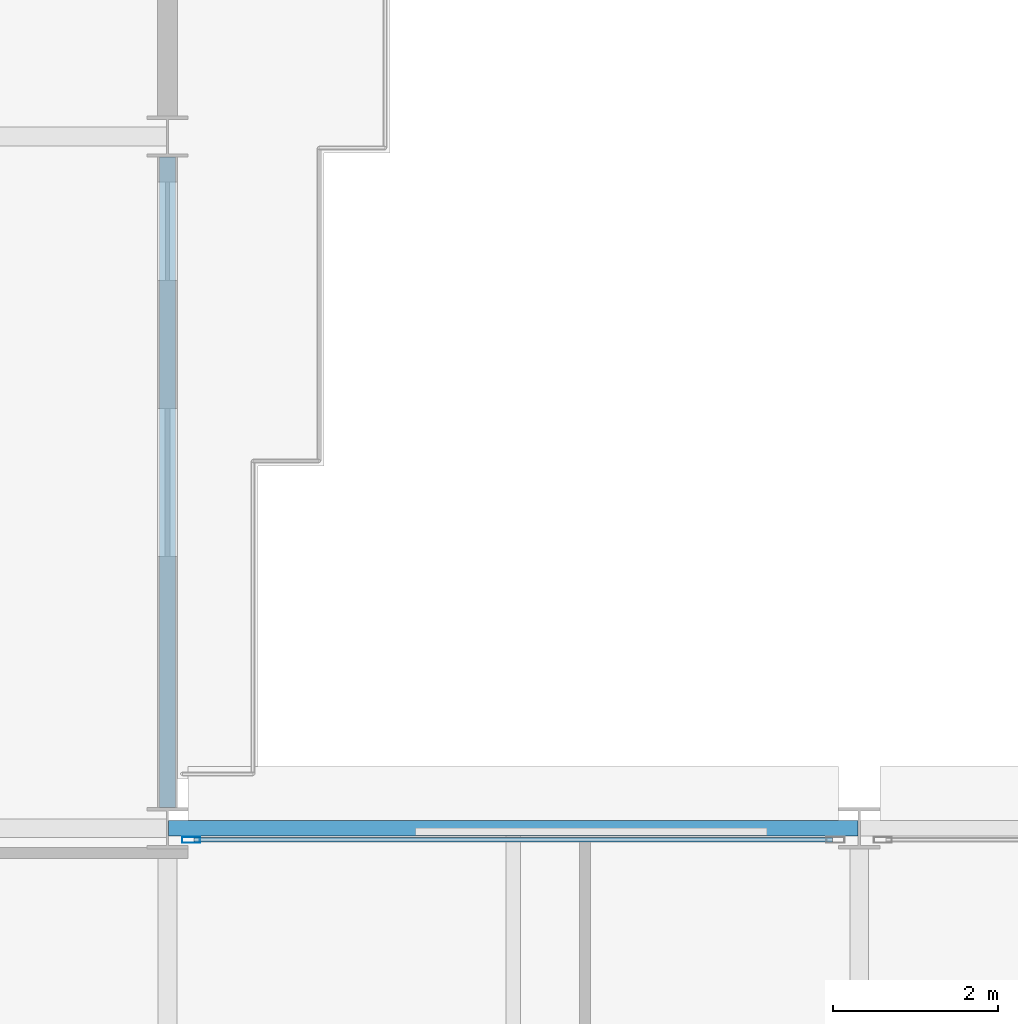
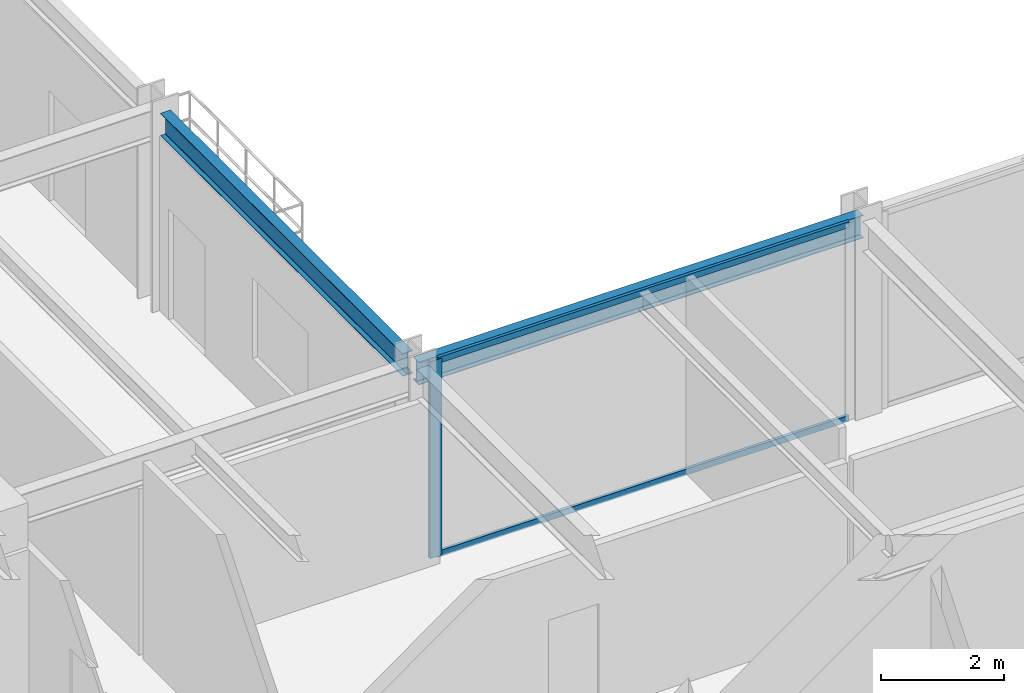
# One storey, part 8 of 25: 3 members, 2 beams, 1 element without a shape of its own.
"""IFC4 building model written with IfcOpenShell, lengths in metres."""

import ifcopenshell
import ifcopenshell.guid

model = None  # the IFC model being written
_history = None  # IfcOwnerHistory: only IFC2X3 demands one
_inside = {}  # id of a spatial element -> (the spatial element, [elements in it])
_under = {}  # id of a project, library or spatial element -> (it, [spatial elements below it])
_declared = {}  # id of a project -> (the project, [libraries it declares])
_typed = {}  # id of a type object -> (the type object, [elements of that type])
_made_of = {}  # id of a material, layer set ... -> (it, [elements and type objects made of it])


def new_model(schema):
    """Start an empty IFC model of exactly this schema.

    Asked for "IFC4X3", IfcOpenShell would pick the latest addendum, in which some entities
    have other attributes; the version numbers below select the first issue.
    IFC2X3 requires an IfcOwnerHistory on every rooted entity: one is made here for all.
    """
    global model, _history
    if schema == "IFC4X3":
        model = ifcopenshell.file(schema_version=(4, 3, 0, 0))
    else:
        model = ifcopenshell.file(schema=schema)
    _inside.clear()
    _under.clear()
    _declared.clear()
    _typed.clear()
    _made_of.clear()
    _history = None
    if model.schema == "IFC2X3":
        org = make("IfcOrganization", Name="unknown")
        user = make(
            "IfcPersonAndOrganization",
            ThePerson=make("IfcPerson", FamilyName="unknown"),
            TheOrganization=org,
        )
        app = make(
            "IfcApplication",
            ApplicationDeveloper=org,
            Version="unknown",
            ApplicationFullName="unknown",
            ApplicationIdentifier="unknown",
        )
        _history = make(
            "IfcOwnerHistory",
            OwningUser=user,
            OwningApplication=app,
            ChangeAction="ADDED",
            CreationDate=0,
        )
    return model


def make(cls, **values):
    """One entity of the class cls with the attributes given. An attribute that is None is left unset."""
    return model.create_entity(
        cls, **{name: value for name, value in values.items() if value is not None}
    )


def rooted(cls, **values):
    """An entity with a GlobalId (a new one), such as an element, a storey or a relation."""
    return make(cls, GlobalId=ifcopenshell.guid.new(), OwnerHistory=_history, **values)


def si_unit(unit_type, name, prefix=None):
    """IfcSIUnit, for example si_unit("LENGTHUNIT", "METRE", prefix="MILLI")."""
    return make("IfcSIUnit", UnitType=unit_type, Prefix=prefix, Name=name)


def assignment(units):
    """IfcUnitAssignment: the units of a project."""
    return None if units is None else make("IfcUnitAssignment", Units=units)


def point(xyz):
    """IfcCartesianPoint."""
    return None if xyz is None else make("IfcCartesianPoint", Coordinates=xyz)


def direction(xyz):
    """IfcDirection."""
    return None if xyz is None else make("IfcDirection", DirectionRatios=xyz)


def frame(location, z_axis=None, x_axis=None):
    """IfcAxis2Placement3D, a coordinate frame: its origin and axes. An axis left out is left unset."""
    return make(
        "IfcAxis2Placement3D",
        Location=point(location),
        Axis=direction(z_axis),
        RefDirection=direction(x_axis),
    )


def frame_2d(location, x_axis=None):
    """IfcAxis2Placement2D, a coordinate frame in the plane: its origin and x axis."""
    return make(
        "IfcAxis2Placement2D", Location=point(location), RefDirection=direction(x_axis)
    )


def origin():
    """The frame at (0, 0, 0) with its axes left unset."""
    return frame((0.0, 0.0, 0.0))


def origin_2d():
    """The frame at (0, 0) in the plane with its x axis left unset."""
    return frame_2d((0.0, 0.0))


def place(relative_to, where):
    """IfcLocalPlacement: puts the frame where relative to a parent placement (None: the world)."""
    return make(
        "IfcLocalPlacement", PlacementRelTo=relative_to, RelativePlacement=where
    )


def context(
    kind, dimensions, precision=None, world=None, true_north=None, identifier=None
):
    """IfcGeometricRepresentationContext, for example the 3D "Model" context."""
    return make(
        "IfcGeometricRepresentationContext",
        ContextIdentifier=identifier,
        ContextType=kind,
        CoordinateSpaceDimension=dimensions,
        Precision=precision,
        WorldCoordinateSystem=world,
        TrueNorth=true_north,
    )


def subcontext(parent, identifier, kind, view, scale=None):
    """IfcGeometricRepresentationSubContext, for example "Body" below "Model"."""
    return make(
        "IfcGeometricRepresentationSubContext",
        ContextIdentifier=identifier,
        ContextType=kind,
        ParentContext=parent,
        TargetScale=scale,
        TargetView=view,
    )


def project(units=None, contexts=None):
    """IfcProject with its units and contexts."""
    return rooted(
        "IfcProject",
        Name="project",
        RepresentationContexts=contexts,
        UnitsInContext=assignment(units),
    )


def spatial(cls, under=None, at=None, **own):
    """A site, building, storey or space (cls), placed at a placement, below another one or the project."""
    s = rooted(cls, ObjectPlacement=at, **own)
    if under is not None:
        _under.setdefault(under.id(), (under, []))[1].append(s)
    return s


def profile(cls, at=None, kind="AREA", **sizes):
    """A parametric profile (cls). Its sizes go by their IFC names, for example OverallWidth=200.0."""
    return make(cls, ProfileType=kind, Position=at, **sizes)


def hollow_rectangle(**sizes):
    """IfcRectangleHollowProfileDef."""
    return profile("IfcRectangleHollowProfileDef", **sizes)


def i_section(**sizes):
    """IfcIShapeProfileDef."""
    return profile("IfcIShapeProfileDef", **sizes)


def extrude(swept, where, along, depth):
    """IfcExtrudedAreaSolid: the profile swept, set in the frame where, extruded along a direction by depth."""
    return make(
        "IfcExtrudedAreaSolid",
        SweptArea=swept,
        Position=where,
        ExtrudedDirection=direction(along),
        Depth=depth,
    )


def shape(context_of_items, identifier, shape_type, items):
    """IfcShapeRepresentation: the items that make up one representation, for example the "Body"."""
    return make(
        "IfcShapeRepresentation",
        ContextOfItems=context_of_items,
        RepresentationIdentifier=identifier,
        RepresentationType=shape_type,
        Items=items,
    )


def material(Name=None, Category=None):
    """IfcMaterial."""
    return make("IfcMaterial", Name=Name, Category=Category)


def layer(
    of_material, thickness, ventilated=None, Name=None, Category=None, Priority=None
):
    """IfcMaterialLayer: one layer of a wall or slab, of a material (None: an air gap)."""
    return make(
        "IfcMaterialLayer",
        Material=of_material,
        LayerThickness=thickness,
        IsVentilated=ventilated,
        Name=Name,
        Category=Category,
        Priority=Priority,
    )


def layer_set(layers, Name=None):
    """IfcMaterialLayerSet."""
    return make("IfcMaterialLayerSet", MaterialLayers=layers, LayerSetName=Name)


def material_profile(
    of_material, cross_section, Name=None, Category=None, Priority=None
):
    """IfcMaterialProfile: a cross section and its material."""
    return make(
        "IfcMaterialProfile",
        Name=Name,
        Material=of_material,
        Profile=cross_section,
        Priority=Priority,
        Category=Category,
    )


def profile_set(profiles, Name=None, composite=None):
    """IfcMaterialProfileSet."""
    return make(
        "IfcMaterialProfileSet",
        Name=Name,
        MaterialProfiles=profiles,
        CompositeProfile=composite,
    )


def made_of(thing, what):
    """Note that an element or type object is made of a material, layer set ...; save() writes the relation."""
    if what is not None:
        _made_of.setdefault(what.id(), (what, []))[1].append(thing)
    return thing


def type_object(cls, material=None, **own):
    """A type object (cls), such as IfcWallType, which elements share."""
    return made_of(rooted(cls, **own), material)


def element(
    cls,
    number,
    at=None,
    inside=None,
    cuts=None,
    type_object=None,
    material=None,
    context=None,
    identifier="Body",
    shape_type=None,
    held_by="IfcProductDefinitionShape",
    body=None,
    shapes=None,
    **own,
):
    """One element of the class cls, such as IfcWall. Its Tag is "e" and its number.

    at: its placement. inside: the storey or other place that contains it. cuts: it is an
    opening in that element (IfcRelVoidsElement). A single representation is given by context,
    identifier, shape_type and body (its items); several are given by shapes. held_by: the class
    of the entity that holds the representations. save() writes the other relations.
    """
    e = rooted(cls, Tag="e%d" % number, ObjectPlacement=at, **own)
    if body is not None:
        shapes = [shape(context, identifier, shape_type, body)]
    if shapes is not None:
        e.Representation = make(held_by, Representations=shapes)
    if inside is not None:
        _inside.setdefault(inside.id(), (inside, []))[1].append(e)
    if cuts is not None:
        rooted(
            "IfcRelVoidsElement", RelatingBuildingElement=cuts, RelatedOpeningElement=e
        )
    if type_object is not None:
        _typed.setdefault(type_object.id(), (type_object, []))[1].append(e)
    return made_of(e, material)


def aggregate(whole, parts):
    """IfcRelAggregates: a whole, such as a stair, and the parts it consists of."""
    return rooted("IfcRelAggregates", RelatingObject=whole, RelatedObjects=parts)


def save(model, path):
    """Write the relations noted so far, then the file.

    IfcRelAggregates (storeys below a building ...), IfcRelContainedInSpatialStructure (elements
    in a storey), IfcRelDefinesByType, IfcRelAssociatesMaterial and IfcRelDeclares: one each for
    every whole, place, type object, material and project.
    """
    for whole, parts in _under.values():
        aggregate(whole, parts)
    for where, things in _inside.values():
        rooted(
            "IfcRelContainedInSpatialStructure",
            RelatedElements=things,
            RelatingStructure=where,
        )
    for kind, things in _typed.values():
        rooted("IfcRelDefinesByType", RelatedObjects=things, RelatingType=kind)
    for what, things in _made_of.values():
        rooted("IfcRelAssociatesMaterial", RelatedObjects=things, RelatingMaterial=what)
    for by, libraries in _declared.values():
        rooted("IfcRelDeclares", RelatingContext=by, RelatedDefinitions=libraries)
    model.write(path)


model = new_model("IFC4")

# Units and contexts
model_context = context("Model", 3, precision=1e-05, world=origin(), true_north=direction((0.0, 1.0)))
body_context = subcontext(model_context, "Body", "Model", "MODEL_VIEW")
ifc_project = project(units=[si_unit("LENGTHUNIT", "METRE"), si_unit("AREAUNIT", "SQUARE_METRE"), si_unit("VOLUMEUNIT", "CUBIC_METRE"), si_unit("PLANEANGLEUNIT", "RADIAN"), si_unit("MASSUNIT", "GRAM", prefix="KILO")], contexts=[model_context])

# Site, building, storey
site_placement = place(None, origin())
site = spatial("IfcSite", under=ifc_project, at=site_placement, CompositionType="ELEMENT")
building_placement = place(site_placement, origin())
building = spatial("IfcBuilding", under=site, at=building_placement, Name="Nerrivon Quay Data Exchange", CompositionType="ELEMENT")
storey_placement = place(building_placement, frame((0.0, 0.0, 41.60009765625)))
storey = spatial("IfcBuildingStorey", under=building, at=storey_placement, Name="L09", CompositionType="ELEMENT", Elevation=41.60009765625)

# Beams
ifc_material_1 = material(Name="Steel Grade 350", Category="steel")
ifc_material_profile_1 = material_profile(ifc_material_1, i_section(OverallWidth=0.18994140625, OverallDepth=0.4541015625, WebThickness=0.008544921875, FlangeThickness=0.0126953125, FilletRadius=0.011474609375, at=origin_2d()), Name="460UB67.1")
ifc_profile_set_1 = profile_set([ifc_material_profile_1], Name="Steel Grade 350")
beam_type = type_object("IfcBeamType", Name="BM-SP1-460UB67", PredefinedType="SPANDREL", material=ifc_profile_set_1)
beam_1_placement = place(storey_placement, frame((25.214111328125, 25.199951171875, 3.697998046875), z_axis=(1.0, 0.0, 0.0), x_axis=(0.0, 1.0, 0.0)))
element("IfcBeam", 1, at=beam_1_placement, inside=storey, type_object=beam_type, Name="L09 EW Girder Y=25.2 (25.2..33.6)", PredefinedType="SPANDREL", context=body_context, shape_type="SweptSolid", body=[
    extrude(i_section(OverallWidth=0.18994140625, OverallDepth=0.4541015625, WebThickness=0.008544921875, FlangeThickness=0.0126953125, FilletRadius=0.011474609375, at=origin_2d()), origin(), (0.0, 0.0, 1.0), 8.371826171875),
])
beam_2_placement = place(storey_placement, frame((25.199951171875, 25.449951171875, 3.697998046875), z_axis=(0.0, 1.0, 0.0), x_axis=(-1.0, 0.0, 0.0)))
element("IfcBeam", 2, at=beam_2_placement, inside=storey, type_object=beam_type, Name="L09 NS Girder X=25.2 (25.2..33.6)", PredefinedType="SPANDREL", context=body_context, shape_type="SweptSolid", body=[
    extrude(i_section(OverallWidth=0.18994140625, OverallDepth=0.4541015625, WebThickness=0.008544921875, FlangeThickness=0.0126953125, FilletRadius=0.011474609375, at=origin_2d()), origin(), (0.0, 0.0, 1.0), 7.900146484375),
])

# Curtain wall, members
ifc_material_2 = material(Name="Anodised aluminium 6063-T6", Category="aluminium")
ifc_layer = layer(ifc_material_2, 0.219970703125)
ifc_layer_set = layer_set([ifc_layer], Name="Anodised aluminium 6063-T6")
curtain_wall_type = type_object("IfcCurtainWallType", Name="CW-SYS-01", PredefinedType="NOTDEFINED", material=ifc_layer_set)
curtain_wall_placement = place(storey_placement, origin())
curtain_wall = element("IfcCurtainWall", 3, at=curtain_wall_placement, inside=storey, type_object=curtain_wall_type, Name="L09 Unitised Curtain Wall 28", PredefinedType="NOTDEFINED")
ifc_material_profile_2 = material_profile(ifc_material_2, hollow_rectangle(XDim=0.074951171875, YDim=0.219970703125, WallThickness=0.00390625, at=origin_2d()), Name="ALU-MULL-220x75")
ifc_profile_set_2 = profile_set([ifc_material_profile_2], Name="Anodised aluminium 6063-T6")
member_type_1 = type_object("IfcMemberType", Name="CWM-220x75", PredefinedType="MULLION", material=ifc_profile_set_2)
member_1_placement = place(storey_placement, frame((25.487548828125, 25.06005859375, 0.0), z_axis=(0.0, 0.0, 1.0), x_axis=(0.0, 1.0, 0.0)))
member_1 = element("IfcMember", 4, at=member_1_placement, type_object=member_type_1, Name="CW01 mullion 1", PredefinedType="MULLION", context=body_context, shape_type="SweptSolid", body=[
    extrude(hollow_rectangle(XDim=0.074951171875, YDim=0.219970703125, WallThickness=0.00390625, at=origin_2d()), origin(), (0.0, 0.0, 1.0), 3.9248046875),
])
ifc_material_profile_3 = material_profile(ifc_material_2, hollow_rectangle(XDim=0.06005859375, YDim=0.1201171875, WallThickness=0.003173828125, at=origin_2d()), Name="ALU-TRAN-120x60")
ifc_profile_set_3 = profile_set([ifc_material_profile_3], Name="Anodised aluminium 6063-T6")
member_type_2 = type_object("IfcMemberType", Name="CWT-120x60", PredefinedType="USERDEFINED", material=ifc_profile_set_3)
member_2_placement = place(storey_placement, frame((25.52490234375, 25.06005859375, 0.032470703125), z_axis=(1.0, 0.0, 0.0), x_axis=(0.0, 1.0, 0.0)))
member_2 = element("IfcMember", 5, at=member_2_placement, type_object=member_type_2, Name="CW01 transom 1.1", ObjectType="TRANSOM", PredefinedType="USERDEFINED", context=body_context, shape_type="SweptSolid", body=[
    extrude(hollow_rectangle(XDim=0.06005859375, YDim=0.1201171875, WallThickness=0.003173828125, at=origin_2d()), origin(), (0.0, 0.0, 1.0), 7.75),
])
member_3_placement = place(storey_placement, frame((25.52490234375, 25.06005859375, 3.892333984375), z_axis=(1.0, 0.0, 0.0), x_axis=(0.0, 1.0, 0.0)))
member_3 = element("IfcMember", 6, at=member_3_placement, type_object=member_type_2, Name="CW01 transom 1.2", ObjectType="TRANSOM", PredefinedType="USERDEFINED", context=body_context, shape_type="SweptSolid", body=[
    extrude(hollow_rectangle(XDim=0.06005859375, YDim=0.1201171875, WallThickness=0.003173828125, at=origin_2d()), origin(), (0.0, 0.0, 1.0), 7.75),
])
aggregate(curtain_wall, [member_1, member_2, member_3])

save(model, "model.ifc")
